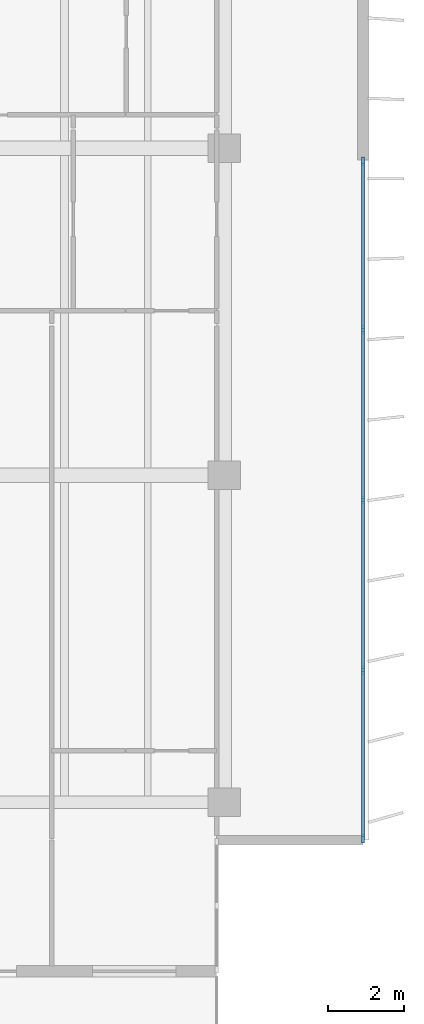
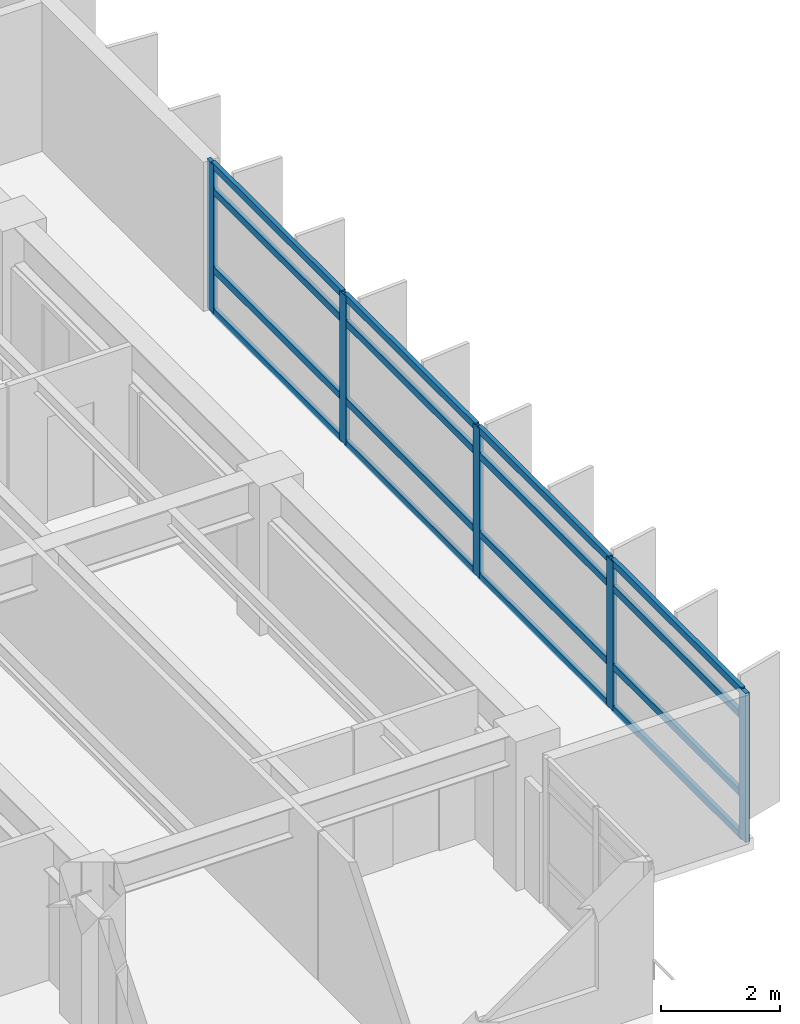
# One storey, part 6 of 18: 21 members, 1 element without a shape of its own.
"""IFC4 building model written with IfcOpenShell, lengths in metres."""

from ifc_helpers import new_model, si_unit, direction, frame, origin, origin_2d, place, context, subcontext, project, spatial, rectangle, extrude, material, layer, layer_set, material_profile, profile_set, type_object, element, aggregate, save


model = new_model("IFC4")

# Units and contexts
model_context = context("Model", 3, precision=1e-05, world=origin(), true_north=direction((0.0, 1.0)))
body_context = subcontext(model_context, "Body", "Model", "MODEL_VIEW")
ifc_project = project(units=[si_unit("LENGTHUNIT", "METRE"), si_unit("AREAUNIT", "SQUARE_METRE"), si_unit("VOLUMEUNIT", "CUBIC_METRE"), si_unit("PLANEANGLEUNIT", "RADIAN"), si_unit("MASSUNIT", "GRAM", prefix="KILO")], contexts=[model_context])

# Site, building, storey
site_placement = place(None, origin())
site = spatial("IfcSite", under=ifc_project, at=site_placement, CompositionType="ELEMENT")
building_placement = place(site_placement, origin())
building = spatial("IfcBuilding", under=site, at=building_placement, Name="Caelmar Bay Residences", CompositionType="ELEMENT")
storey_placement = place(building_placement, frame((0.0, 0.0, 177.0)))
storey = spatial("IfcBuildingStorey", under=building, at=storey_placement, Name="L49", CompositionType="ELEMENT", Elevation=177.0)

# Curtain wall, members
ifc_material_1 = material(Name="Anodised bronze aluminium 6063-T6 and laminated glass", Category="aluminium")
ifc_layer = layer(ifc_material_1, 0.179931640625)
ifc_layer_set = layer_set([ifc_layer], Name="Anodised bronze aluminium 6063-T6 and laminated glass")
curtain_wall_type = type_object("IfcCurtainWallType", Name="CW4-Z3", PredefinedType="NOTDEFINED", material=ifc_layer_set)
curtain_wall_placement = place(storey_placement, origin())
curtain_wall = element("IfcCurtainWall", 1, at=curtain_wall_placement, inside=storey, type_object=curtain_wall_type, Name="CW4 curtain wall L49", PredefinedType="NOTDEFINED")
ifc_material_2 = material(Name="Anodised bronze aluminium 6063-T6", Category="aluminium")
ifc_material_profile_1 = material_profile(ifc_material_2, rectangle(XDim=0.080078125, YDim=0.219970703125, at=origin_2d()), Name="CWM-80X220")
ifc_profile_set_1 = profile_set([ifc_material_profile_1], Name="Anodised bronze aluminium 6063-T6")
member_type_1 = type_object("IfcMemberType", Name="CWM-220", PredefinedType="MULLION", material=ifc_profile_set_1)
member_1_placement = place(storey_placement, frame((71.550048828125, 29.06005859375, 0.0), z_axis=(0.0, 0.0, 1.0), x_axis=(1.0, 0.0, 0.0)))
member_1 = element("IfcMember", 2, at=member_1_placement, type_object=member_type_1, Name="CW4 mullion 1", PredefinedType="MULLION", context=body_context, shape_type="SweptSolid", body=[
    extrude(rectangle(XDim=0.080078125, YDim=0.219970703125, at=origin_2d()), origin(), (0.0, 0.0, 1.0), 3.050048828125),
])
member_2_placement = place(storey_placement, frame((71.550048828125, 24.625, 0.0), z_axis=(0.0, 0.0, 1.0), x_axis=(1.0, 0.0, 0.0)))
member_2 = element("IfcMember", 3, at=member_2_placement, type_object=member_type_1, Name="CW4 mullion 2", PredefinedType="MULLION", context=body_context, shape_type="SweptSolid", body=[
    extrude(rectangle(XDim=0.080078125, YDim=0.219970703125, at=origin_2d()), origin(), (0.0, 0.0, 1.0), 3.050048828125),
])
member_3_placement = place(storey_placement, frame((71.550048828125, 20.14990234375, 0.0), z_axis=(0.0, 0.0, 1.0), x_axis=(1.0, 0.0, 0.0)))
member_3 = element("IfcMember", 4, at=member_3_placement, type_object=member_type_1, Name="CW4 mullion 3", PredefinedType="MULLION", context=body_context, shape_type="SweptSolid", body=[
    extrude(rectangle(XDim=0.080078125, YDim=0.219970703125, at=origin_2d()), origin(), (0.0, 0.0, 1.0), 3.050048828125),
])
member_4_placement = place(storey_placement, frame((71.550048828125, 15.675048828125, 0.0), z_axis=(0.0, 0.0, 1.0), x_axis=(1.0, 0.0, 0.0)))
member_4 = element("IfcMember", 5, at=member_4_placement, type_object=member_type_1, Name="CW4 mullion 4", PredefinedType="MULLION", context=body_context, shape_type="SweptSolid", body=[
    extrude(rectangle(XDim=0.080078125, YDim=0.219970703125, at=origin_2d()), origin(), (0.0, 0.0, 1.0), 3.050048828125),
])
member_5_placement = place(storey_placement, frame((71.550048828125, 11.239990234375, 0.0), z_axis=(0.0, 0.0, 1.0), x_axis=(1.0, 0.0, 0.0)))
member_5 = element("IfcMember", 6, at=member_5_placement, type_object=member_type_1, Name="CW4 mullion 5", PredefinedType="MULLION", context=body_context, shape_type="SweptSolid", body=[
    extrude(rectangle(XDim=0.080078125, YDim=0.219970703125, at=origin_2d()), origin(), (0.0, 0.0, 1.0), 3.050048828125),
])
ifc_material_profile_2 = material_profile(ifc_material_2, rectangle(XDim=0.080078125, YDim=0.139892578125, at=origin_2d()), Name="CWT-80X140")
ifc_profile_set_2 = profile_set([ifc_material_profile_2], Name="Anodised bronze aluminium 6063-T6")
member_type_2 = type_object("IfcMemberType", Name="CWT-140", PredefinedType="NOTDEFINED", material=ifc_profile_set_2)
member_6_placement = place(storey_placement, frame((71.550048828125, 29.02001953125, 0.0400390625), z_axis=(0.0, -1.0, 0.0), x_axis=(1.0, 0.0, 0.0)))
member_6 = element("IfcMember", 7, at=member_6_placement, type_object=member_type_2, Name="CW4 transom 1.1", ObjectType="TRANSOM", PredefinedType="USERDEFINED", context=body_context, shape_type="SweptSolid", body=[
    extrude(rectangle(XDim=0.080078125, YDim=0.139892578125, at=origin_2d()), origin(), (0.0, 0.0, 1.0), 4.35498046875),
])
member_7_placement = place(storey_placement, frame((71.550048828125, 29.02001953125, 0.89990234375), z_axis=(0.0, -1.0, 0.0), x_axis=(1.0, 0.0, 0.0)))
member_7 = element("IfcMember", 8, at=member_7_placement, type_object=member_type_2, Name="CW4 transom 1.2", ObjectType="TRANSOM", PredefinedType="USERDEFINED", context=body_context, shape_type="SweptSolid", body=[
    extrude(rectangle(XDim=0.080078125, YDim=0.139892578125, at=origin_2d()), origin(), (0.0, 0.0, 1.0), 4.35498046875),
])
member_8_placement = place(storey_placement, frame((71.550048828125, 29.02001953125, 2.5), z_axis=(0.0, -1.0, 0.0), x_axis=(1.0, 0.0, 0.0)))
member_8 = element("IfcMember", 9, at=member_8_placement, type_object=member_type_2, Name="CW4 transom 1.3", ObjectType="TRANSOM", PredefinedType="USERDEFINED", context=body_context, shape_type="SweptSolid", body=[
    extrude(rectangle(XDim=0.080078125, YDim=0.139892578125, at=origin_2d()), origin(), (0.0, 0.0, 1.0), 4.35498046875),
])
member_9_placement = place(storey_placement, frame((71.550048828125, 29.02001953125, 3.010009765625), z_axis=(0.0, -1.0, 0.0), x_axis=(1.0, 0.0, 0.0)))
member_9 = element("IfcMember", 10, at=member_9_placement, type_object=member_type_2, Name="CW4 transom 1.4", ObjectType="TRANSOM", PredefinedType="USERDEFINED", context=body_context, shape_type="SweptSolid", body=[
    extrude(rectangle(XDim=0.080078125, YDim=0.139892578125, at=origin_2d()), origin(), (0.0, 0.0, 1.0), 4.35498046875),
])
member_10_placement = place(storey_placement, frame((71.550048828125, 24.5849609375, 0.0400390625), z_axis=(0.0, -1.0, 0.0), x_axis=(1.0, 0.0, 0.0)))
member_10 = element("IfcMember", 11, at=member_10_placement, type_object=member_type_2, Name="CW4 transom 2.1", ObjectType="TRANSOM", PredefinedType="USERDEFINED", context=body_context, shape_type="SweptSolid", body=[
    extrude(rectangle(XDim=0.080078125, YDim=0.139892578125, at=origin_2d()), origin(), (0.0, 0.0, 1.0), 4.39501953125),
])
member_11_placement = place(storey_placement, frame((71.550048828125, 24.5849609375, 0.89990234375), z_axis=(0.0, -1.0, 0.0), x_axis=(1.0, 0.0, 0.0)))
member_11 = element("IfcMember", 12, at=member_11_placement, type_object=member_type_2, Name="CW4 transom 2.2", ObjectType="TRANSOM", PredefinedType="USERDEFINED", context=body_context, shape_type="SweptSolid", body=[
    extrude(rectangle(XDim=0.080078125, YDim=0.139892578125, at=origin_2d()), origin(), (0.0, 0.0, 1.0), 4.39501953125),
])
member_12_placement = place(storey_placement, frame((71.550048828125, 24.5849609375, 2.5), z_axis=(0.0, -1.0, 0.0), x_axis=(1.0, 0.0, 0.0)))
member_12 = element("IfcMember", 13, at=member_12_placement, type_object=member_type_2, Name="CW4 transom 2.3", ObjectType="TRANSOM", PredefinedType="USERDEFINED", context=body_context, shape_type="SweptSolid", body=[
    extrude(rectangle(XDim=0.080078125, YDim=0.139892578125, at=origin_2d()), origin(), (0.0, 0.0, 1.0), 4.39501953125),
])
member_13_placement = place(storey_placement, frame((71.550048828125, 24.5849609375, 3.010009765625), z_axis=(0.0, -1.0, 0.0), x_axis=(1.0, 0.0, 0.0)))
member_13 = element("IfcMember", 14, at=member_13_placement, type_object=member_type_2, Name="CW4 transom 2.4", ObjectType="TRANSOM", PredefinedType="USERDEFINED", context=body_context, shape_type="SweptSolid", body=[
    extrude(rectangle(XDim=0.080078125, YDim=0.139892578125, at=origin_2d()), origin(), (0.0, 0.0, 1.0), 4.39501953125),
])
member_14_placement = place(storey_placement, frame((71.550048828125, 20.110107421875, 0.0400390625), z_axis=(0.0, -1.0, 0.0), x_axis=(1.0, 0.0, 0.0)))
member_14 = element("IfcMember", 15, at=member_14_placement, type_object=member_type_2, Name="CW4 transom 3.1", ObjectType="TRANSOM", PredefinedType="USERDEFINED", context=body_context, shape_type="SweptSolid", body=[
    extrude(rectangle(XDim=0.080078125, YDim=0.139892578125, at=origin_2d()), origin(), (0.0, 0.0, 1.0), 4.39501953125),
])
member_15_placement = place(storey_placement, frame((71.550048828125, 20.110107421875, 0.89990234375), z_axis=(0.0, -1.0, 0.0), x_axis=(1.0, 0.0, 0.0)))
member_15 = element("IfcMember", 16, at=member_15_placement, type_object=member_type_2, Name="CW4 transom 3.2", ObjectType="TRANSOM", PredefinedType="USERDEFINED", context=body_context, shape_type="SweptSolid", body=[
    extrude(rectangle(XDim=0.080078125, YDim=0.139892578125, at=origin_2d()), origin(), (0.0, 0.0, 1.0), 4.39501953125),
])
member_16_placement = place(storey_placement, frame((71.550048828125, 20.110107421875, 2.5), z_axis=(0.0, -1.0, 0.0), x_axis=(1.0, 0.0, 0.0)))
member_16 = element("IfcMember", 17, at=member_16_placement, type_object=member_type_2, Name="CW4 transom 3.3", ObjectType="TRANSOM", PredefinedType="USERDEFINED", context=body_context, shape_type="SweptSolid", body=[
    extrude(rectangle(XDim=0.080078125, YDim=0.139892578125, at=origin_2d()), origin(), (0.0, 0.0, 1.0), 4.39501953125),
])
member_17_placement = place(storey_placement, frame((71.550048828125, 20.110107421875, 3.010009765625), z_axis=(0.0, -1.0, 0.0), x_axis=(1.0, 0.0, 0.0)))
member_17 = element("IfcMember", 18, at=member_17_placement, type_object=member_type_2, Name="CW4 transom 3.4", ObjectType="TRANSOM", PredefinedType="USERDEFINED", context=body_context, shape_type="SweptSolid", body=[
    extrude(rectangle(XDim=0.080078125, YDim=0.139892578125, at=origin_2d()), origin(), (0.0, 0.0, 1.0), 4.39501953125),
])
member_18_placement = place(storey_placement, frame((71.550048828125, 15.635009765625, 0.0400390625), z_axis=(0.0, -1.0, 0.0), x_axis=(1.0, 0.0, 0.0)))
member_18 = element("IfcMember", 19, at=member_18_placement, type_object=member_type_2, Name="CW4 transom 4.1", ObjectType="TRANSOM", PredefinedType="USERDEFINED", context=body_context, shape_type="SweptSolid", body=[
    extrude(rectangle(XDim=0.080078125, YDim=0.139892578125, at=origin_2d()), origin(), (0.0, 0.0, 1.0), 4.35498046875),
])
member_19_placement = place(storey_placement, frame((71.550048828125, 15.635009765625, 0.89990234375), z_axis=(0.0, -1.0, 0.0), x_axis=(1.0, 0.0, 0.0)))
member_19 = element("IfcMember", 20, at=member_19_placement, type_object=member_type_2, Name="CW4 transom 4.2", ObjectType="TRANSOM", PredefinedType="USERDEFINED", context=body_context, shape_type="SweptSolid", body=[
    extrude(rectangle(XDim=0.080078125, YDim=0.139892578125, at=origin_2d()), origin(), (0.0, 0.0, 1.0), 4.35498046875),
])
member_20_placement = place(storey_placement, frame((71.550048828125, 15.635009765625, 2.5), z_axis=(0.0, -1.0, 0.0), x_axis=(1.0, 0.0, 0.0)))
member_20 = element("IfcMember", 21, at=member_20_placement, type_object=member_type_2, Name="CW4 transom 4.3", ObjectType="TRANSOM", PredefinedType="USERDEFINED", context=body_context, shape_type="SweptSolid", body=[
    extrude(rectangle(XDim=0.080078125, YDim=0.139892578125, at=origin_2d()), origin(), (0.0, 0.0, 1.0), 4.35498046875),
])
member_21_placement = place(storey_placement, frame((71.550048828125, 15.635009765625, 3.010009765625), z_axis=(0.0, -1.0, 0.0), x_axis=(1.0, 0.0, 0.0)))
member_21 = element("IfcMember", 22, at=member_21_placement, type_object=member_type_2, Name="CW4 transom 4.4", ObjectType="TRANSOM", PredefinedType="USERDEFINED", context=body_context, shape_type="SweptSolid", body=[
    extrude(rectangle(XDim=0.080078125, YDim=0.139892578125, at=origin_2d()), origin(), (0.0, 0.0, 1.0), 4.35498046875),
])
aggregate(curtain_wall, [member_1, member_2, member_3, member_4, member_5, member_6, member_7, member_8, member_9, member_10, member_11, member_12, member_13, member_14, member_15, member_16, member_17, member_18, member_19, member_20, member_21])

save(model, "model.ifc")
